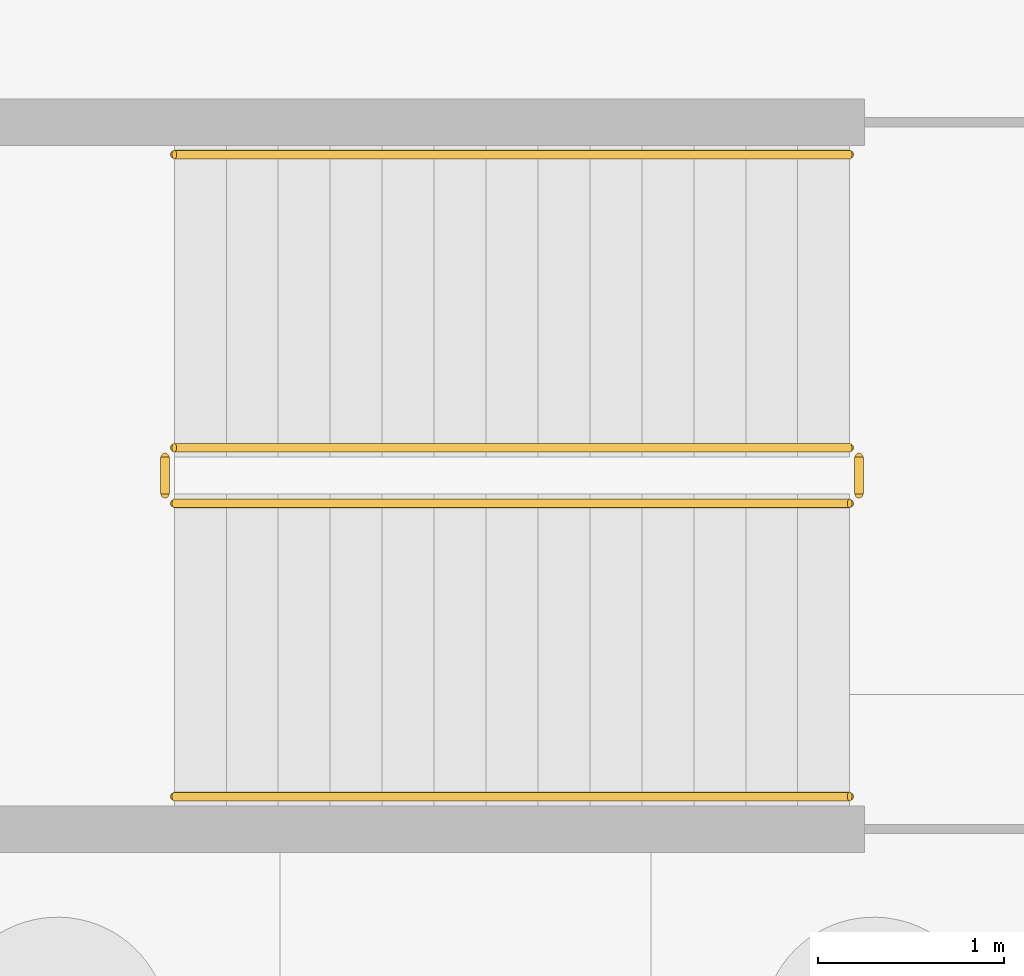
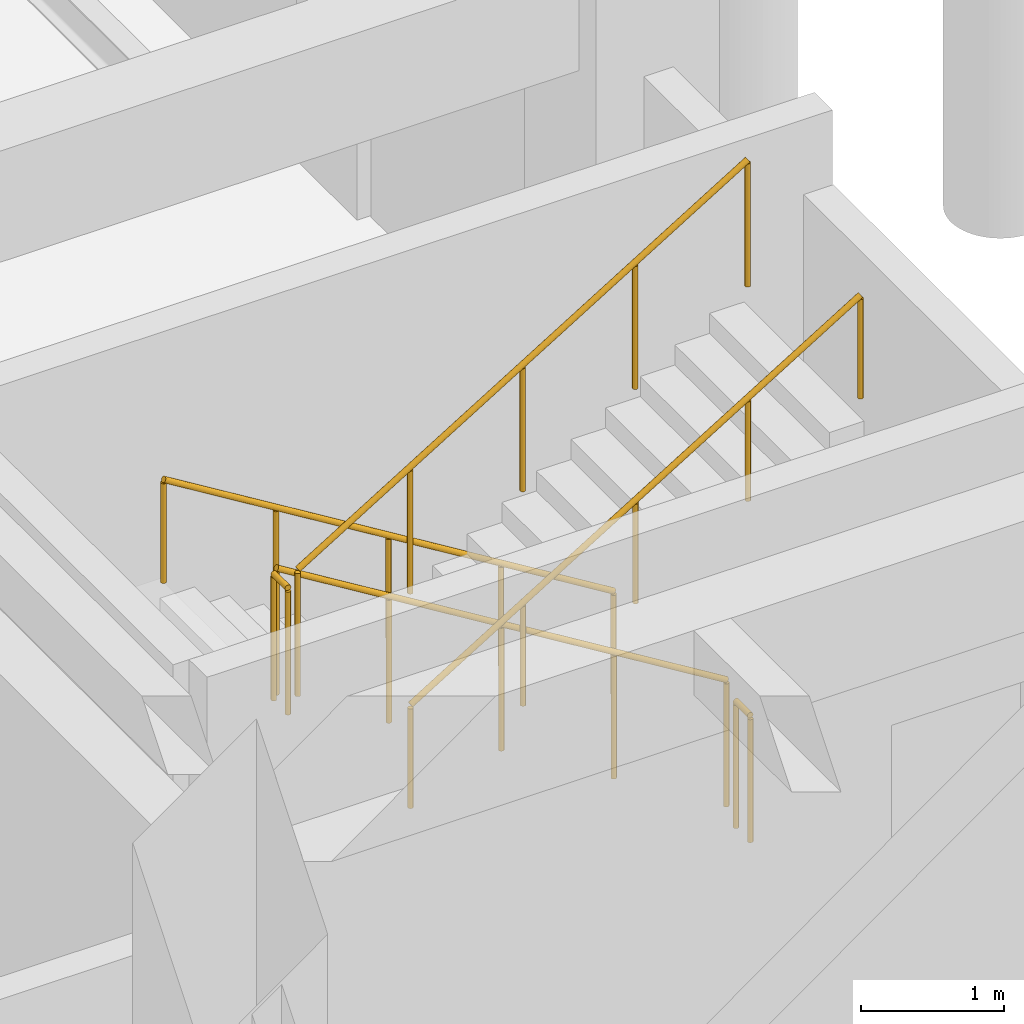
# One storey, part 37 of 38: 6 railings.
"""IFC4 building model written with IfcOpenShell, lengths in metres."""

from ifc_helpers import new_model, si_unit, direction, frame, origin, origin_2d, place, context, subcontext, project, spatial, circle, extrude, material, layer, layer_set, type_object, element, save


model = new_model("IFC4")

# Units and contexts
model_context = context("Model", 3, precision=1e-05, world=origin(), true_north=direction((0.0, 1.0)))
body_context = subcontext(model_context, "Body", "Model", "MODEL_VIEW")
ifc_project = project(units=[si_unit("LENGTHUNIT", "METRE"), si_unit("AREAUNIT", "SQUARE_METRE"), si_unit("VOLUMEUNIT", "CUBIC_METRE"), si_unit("PLANEANGLEUNIT", "RADIAN"), si_unit("MASSUNIT", "GRAM", prefix="KILO")], contexts=[model_context])

# Site, building, storey
site_placement = place(None, origin())
site = spatial("IfcSite", under=ifc_project, at=site_placement, CompositionType="ELEMENT")
building_placement = place(site_placement, origin())
building = spatial("IfcBuilding", under=site, at=building_placement, Name="Qasida Concert Hall", CompositionType="ELEMENT")
storey_placement = place(building_placement, frame((0.0, 0.0, -4.800048828125)))
storey = spatial("IfcBuildingStorey", under=building, at=storey_placement, Name="B1", CompositionType="ELEMENT", Elevation=-4.800048828125)

# Railings
ifc_material_1 = material(Name="Patinated architectural bronze and laminated glass infill", Category="glass")
ifc_layer_1 = layer(ifc_material_1, 0.080078125, Name="Patinated architectural bronze and laminated glass infill")
ifc_layer_set_1 = layer_set([ifc_layer_1], Name="Patinated architectural bronze and laminated glass infill")
railing_type_1 = type_object("IfcRailingType", Name="RL-GRD-1100", PredefinedType="GUARDRAIL", material=ifc_layer_set_1)
railing_1_placement = place(storey_placement, frame((103.320068359375, 63.1298828125, 0.17138671875)))
element("IfcRailing", 1, at=railing_1_placement, inside=storey, type_object=railing_type_1, Name="B1 ST-12 stair guard 1", PredefinedType="GUARDRAIL", context=body_context, shape_type="SweptSolid", body=[
    extrude(circle(Radius=0.02392578125, at=origin_2d()), frame((0.0, 0.0, 1.076171875), z_axis=(-0.852840387347, 0.0, 0.522171689878), x_axis=(0.0, -1.0, 0.0)), (0.0, 0.0, 1.0), 4.268310546875),
    extrude(circle(Radius=0.02099609375, at=origin_2d()), origin(), (0.0, 0.0, 1.0), 1.052001953125),
    extrude(circle(Radius=0.02099609375, at=origin_2d()), frame((-0.91015625, 0.0, 0.55712890625)), (0.0, 0.0, 1.0), 1.052001953125),
    extrude(circle(Radius=0.02099609375, at=origin_2d()), frame((-1.820068359375, 0.0, 1.1142578125)), (0.0, 0.0, 1.0), 1.052001953125),
    extrude(circle(Radius=0.02099609375, at=origin_2d()), frame((-2.72998046875, 0.0, 1.671630859375)), (0.0, 0.0, 1.0), 1.052001953125),
    extrude(circle(Radius=0.02099609375, at=origin_2d()), frame((-3.64013671875, 0.0, 2.228759765625)), (0.0, 0.0, 1.0), 1.052001953125),
])
railing_2_placement = place(storey_placement, frame((99.6298828125, 63.080078125, 2.400146484375)))
element("IfcRailing", 2, at=railing_2_placement, inside=storey, type_object=railing_type_1, Name="B1 ST-12 stair guard 2", PredefinedType="GUARDRAIL", context=body_context, shape_type="SweptSolid", body=[
    extrude(circle(Radius=0.02392578125, at=origin_2d()), frame((0.0, 0.0, 1.076171875), z_axis=(0.0, -1.0, 0.0), x_axis=(1.0, 0.0, 0.0)), (0.0, 0.0, 1.0), 0.2001953125),
    extrude(circle(Radius=0.02099609375, at=origin_2d()), origin(), (0.0, 0.0, 1.0), 1.052001953125),
    extrude(circle(Radius=0.02099609375, at=origin_2d()), frame((0.0, -0.2001953125, 0.0)), (0.0, 0.0, 1.0), 1.052001953125),
])
railing_3_placement = place(storey_placement, frame((99.679931640625, 62.830078125, 2.571533203125)))
element("IfcRailing", 3, at=railing_3_placement, inside=storey, type_object=railing_type_1, Name="B1 ST-12 stair guard 3", PredefinedType="GUARDRAIL", context=body_context, shape_type="SweptSolid", body=[
    extrude(circle(Radius=0.02392578125, at=origin_2d()), frame((0.0, 0.0, 1.076171875), z_axis=(0.852865859571, 0.0, 0.52213008492), x_axis=(0.0, 1.0, 0.0)), (0.0, 0.0, 1.0), 4.26806640625),
    extrude(circle(Radius=0.02099609375, at=origin_2d()), origin(), (0.0, 0.0, 1.0), 1.052001953125),
    extrude(circle(Radius=0.02099609375, at=origin_2d()), frame((0.91015625, 0.0, 0.55712890625)), (0.0, 0.0, 1.0), 1.052001953125),
    extrude(circle(Radius=0.02099609375, at=origin_2d()), frame((1.820068359375, 0.0, 1.1142578125)), (0.0, 0.0, 1.0), 1.052001953125),
    extrude(circle(Radius=0.02099609375, at=origin_2d()), frame((2.72998046875, 0.0, 1.67138671875)), (0.0, 0.0, 1.0), 1.052001953125),
    extrude(circle(Radius=0.02099609375, at=origin_2d()), frame((3.64013671875, 0.0, 2.228515625)), (0.0, 0.0, 1.0), 1.052001953125),
])
railing_4_placement = place(storey_placement, frame((103.3701171875, 63.080078125, 0.0)))
element("IfcRailing", 4, at=railing_4_placement, inside=storey, type_object=railing_type_1, Name="B1 ST-12 stair guard 4", PredefinedType="GUARDRAIL", context=body_context, shape_type="SweptSolid", body=[
    extrude(circle(Radius=0.02392578125, at=origin_2d()), frame((0.0, 0.0, 1.076171875), z_axis=(0.0, -1.0, 0.0), x_axis=(1.0, 0.0, 0.0)), (0.0, 0.0, 1.0), 0.2001953125),
    extrude(circle(Radius=0.02099609375, at=origin_2d()), origin(), (0.0, 0.0, 1.0), 1.052001953125),
    extrude(circle(Radius=0.02099609375, at=origin_2d()), frame((0.0, -0.2001953125, 0.0)), (0.0, 0.0, 1.0), 1.052001953125),
])
ifc_material_2 = material(Name="Patinated tubular architectural bronze", Category="steel")
ifc_layer_2 = layer(ifc_material_2, 0.050048828125, Name="Patinated tubular architectural bronze")
ifc_layer_set_2 = layer_set([ifc_layer_2], Name="Patinated tubular architectural bronze")
railing_type_2 = type_object("IfcRailingType", Name="RL-HND-900", PredefinedType="HANDRAIL", material=ifc_layer_set_2)
railing_5_placement = place(storey_placement, frame((103.320068359375, 64.7099609375, 0.17138671875)))
element("IfcRailing", 5, at=railing_5_placement, inside=storey, type_object=railing_type_2, Name="B1 ST-12 stair handrail 1", PredefinedType="HANDRAIL", context=body_context, shape_type="SweptSolid", body=[
    extrude(circle(Radius=0.02392578125, at=origin_2d()), frame((0.0, 0.0, 0.8759765625), z_axis=(-0.852840387347, 0.0, 0.522171689878), x_axis=(0.0, -1.0, 0.0)), (0.0, 0.0, 1.0), 4.268310546875),
    extrude(circle(Radius=0.02099609375, at=origin_2d()), origin(), (0.0, 0.0, 1.0), 0.851806640625),
    extrude(circle(Radius=0.02099609375, at=origin_2d()), frame((-0.91015625, 0.0, 0.55712890625)), (0.0, 0.0, 1.0), 0.851806640625),
    extrude(circle(Radius=0.02099609375, at=origin_2d()), frame((-1.820068359375, 0.0, 1.1142578125)), (0.0, 0.0, 1.0), 0.851806640625),
    extrude(circle(Radius=0.02099609375, at=origin_2d()), frame((-2.72998046875, 0.0, 1.671630859375)), (0.0, 0.0, 1.0), 0.851806640625),
    extrude(circle(Radius=0.02099609375, at=origin_2d()), frame((-3.64013671875, 0.0, 2.228759765625)), (0.0, 0.0, 1.0), 0.851806640625),
])
railing_6_placement = place(storey_placement, frame((99.679931640625, 61.25, 2.571533203125)))
element("IfcRailing", 6, at=railing_6_placement, inside=storey, type_object=railing_type_2, Name="B1 ST-12 stair handrail 2", PredefinedType="HANDRAIL", context=body_context, shape_type="SweptSolid", body=[
    extrude(circle(Radius=0.02392578125, at=origin_2d()), frame((0.0, 0.0, 0.8759765625), z_axis=(0.852865859571, 0.0, 0.52213008492), x_axis=(0.0, 1.0, 0.0)), (0.0, 0.0, 1.0), 4.26806640625),
    extrude(circle(Radius=0.02099609375, at=origin_2d()), origin(), (0.0, 0.0, 1.0), 0.851806640625),
    extrude(circle(Radius=0.02099609375, at=origin_2d()), frame((0.91015625, 0.0, 0.55712890625)), (0.0, 0.0, 1.0), 0.851806640625),
    extrude(circle(Radius=0.02099609375, at=origin_2d()), frame((1.820068359375, 0.0, 1.1142578125)), (0.0, 0.0, 1.0), 0.851806640625),
    extrude(circle(Radius=0.02099609375, at=origin_2d()), frame((2.72998046875, 0.0, 1.67138671875)), (0.0, 0.0, 1.0), 0.851806640625),
    extrude(circle(Radius=0.02099609375, at=origin_2d()), frame((3.64013671875, 0.0, 2.228515625)), (0.0, 0.0, 1.0), 0.851806640625),
])

save(model, "model.ifc")
